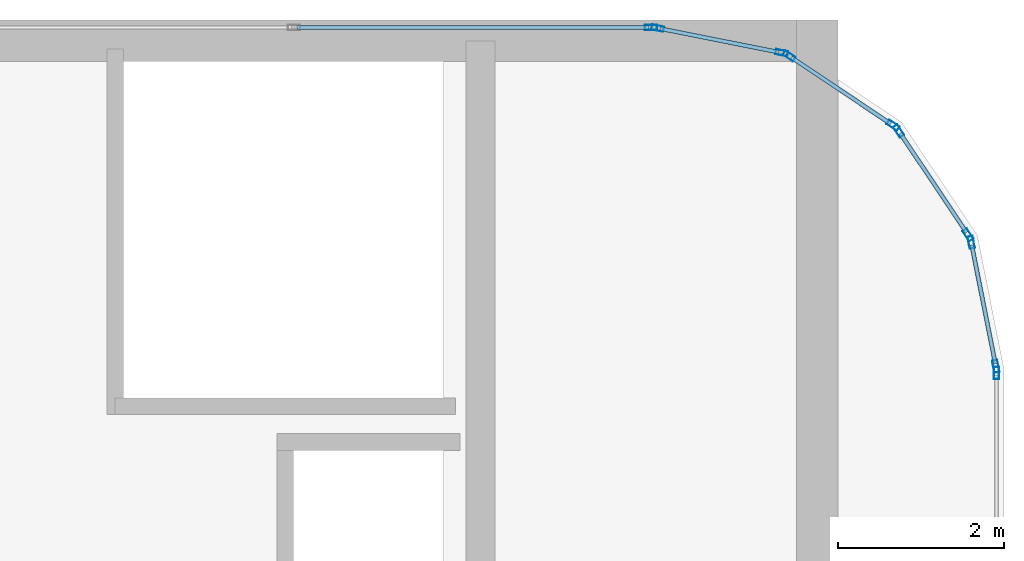
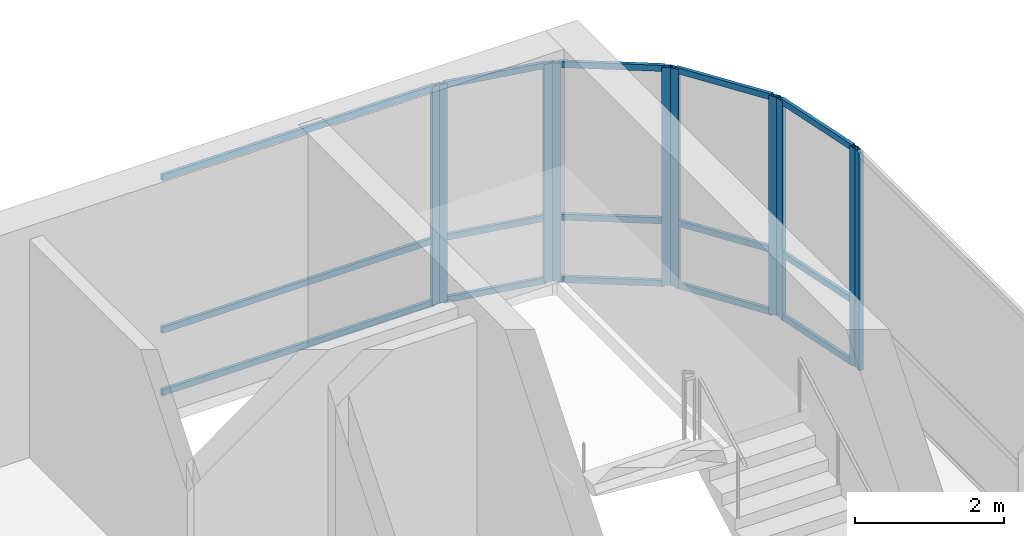
# One storey, part 28 of 36: 25 members, 6 elements without a shape of their own.
"""IFC4 building model written with IfcOpenShell, lengths in metres."""

from ifc_helpers import new_model, si_unit, direction, frame, origin, origin_2d, place, context, subcontext, project, spatial, hollow_rectangle, extrude, source, transform, mapped, material, layer, layer_set, material_profile, profile_set, type_object, type_shapes, element, aggregate, save


model = new_model("IFC4")

# Units and contexts
model_context = context("Model", 3, precision=1e-05, world=origin(), true_north=direction((0.0, 1.0)))
body_context = subcontext(model_context, "Body", "Model", "MODEL_VIEW")
ifc_project = project(units=[si_unit("LENGTHUNIT", "METRE"), si_unit("AREAUNIT", "SQUARE_METRE"), si_unit("VOLUMEUNIT", "CUBIC_METRE"), si_unit("PLANEANGLEUNIT", "RADIAN"), si_unit("MASSUNIT", "GRAM", prefix="KILO")], contexts=[model_context])

# Site, building, storey
site_placement = place(None, origin())
site = spatial("IfcSite", under=ifc_project, at=site_placement, CompositionType="ELEMENT")
building_placement = place(site_placement, origin())
building = spatial("IfcBuilding", under=site, at=building_placement, Name="Tolvann Quenvar Hotel", CompositionType="ELEMENT")
storey_placement = place(building_placement, frame((0.0, 0.0, 294.75)))
storey = spatial("IfcBuildingStorey", under=building, at=storey_placement, Name="L78", CompositionType="ELEMENT", Elevation=294.75)

# Curtain wall, member
ifc_material_1 = material(Name="Thermally broken anodised architectural aluminium 6063-T6 and laminated low-E glass", Category="aluminium")
ifc_layer = layer(ifc_material_1, 0.179931640625)
ifc_layer_set = layer_set([ifc_layer], Name="Thermally broken anodised architectural aluminium 6063-T6 and laminated low-E glass")
curtain_wall_type = type_object("IfcCurtainWallType", Name="CW_SYS_LANT_06", PredefinedType="USERDEFINED", material=ifc_layer_set)
curtain_wall_1_placement = place(storey_placement, origin())
curtain_wall_1 = element("IfcCurtainWall", 1, at=curtain_wall_1_placement, inside=storey, type_object=curtain_wall_type, Name="Curtain Wall CW-LANT-06 (CWR-L78-E09)", ObjectType="UNITISED CURTAIN WALL", PredefinedType="USERDEFINED")
ifc_material_2 = material(Name="Anodised architectural aluminium 6063-T6 framing", Category="aluminium")
ifc_material_profile_1 = material_profile(ifc_material_2, hollow_rectangle(XDim=0.06494140625, YDim=0.14990234375, WallThickness=0.00390625, at=origin_2d()), Name="150x65x4RHS")
ifc_profile_set_1 = profile_set([ifc_material_profile_1], Name="Anodised architectural aluminium 6063-T6 framing")
member_type_1 = type_object("IfcMemberType", Name="CW_MULL_150x65", PredefinedType="MULLION", material=ifc_profile_set_1)
shared_shape_1 = source(origin(), body_context, "Body", "SweptSolid", [
    extrude(hollow_rectangle(XDim=0.06494140625, YDim=0.14990234375, WallThickness=0.00390625, at=origin_2d()), origin(), (0.0, 0.0, 1.0), 3.580078125),
])
type_shapes(member_type_1, [shared_shape_1])
member_1_placement = place(storey_placement, frame((37.909912109375, 39.9501953125, 0.0), z_axis=(0.0, 0.0, 1.0), x_axis=(-1.0, 0.0, 0.0)))
member_1 = element("IfcMember", 2, at=member_1_placement, type_object=member_type_1, Name="CW-LANT-06 mullion 7", PredefinedType="MULLION", context=body_context, shape_type="MappedRepresentation", body=[
    mapped(shared_shape_1, transform((0.0, 0.0, 0.0), x_axis=(1.0, 0.0, 0.0), y_axis=(0.0, 1.0, 0.0), z_axis=(0.0, 0.0, 1.0), scale=1.0)),
])
aggregate(curtain_wall_1, [member_1])

# Curtain wall, members
curtain_wall_2_placement = place(storey_placement, origin())
curtain_wall_2 = element("IfcCurtainWall", 3, at=curtain_wall_2_placement, inside=storey, type_object=curtain_wall_type, Name="Curtain Wall CW-LANT-06 (CWR-L78-E10)", ObjectType="UNITISED CURTAIN WALL", PredefinedType="USERDEFINED")
member_2_placement = place(storey_placement, frame((37.902099609375, 40.03125, 0.0), z_axis=(0.0, 0.0, 1.0), x_axis=(-0.980790999222, -0.195061569369, 0.0)))
member_2 = element("IfcMember", 4, at=member_2_placement, type_object=member_type_1, Name="CW-LANT-06 mullion 1", PredefinedType="MULLION", context=body_context, shape_type="MappedRepresentation", body=[
    mapped(shared_shape_1, transform((0.0, 0.0, 0.0), x_axis=(1.0, 0.0, 0.0), y_axis=(0.0, 1.0, 0.0), z_axis=(0.0, 0.0, 1.0), scale=1.0)),
])
member_3_placement = place(storey_placement, frame((37.605224609375, 41.523681640625, 0.0), z_axis=(0.0, 0.0, 1.0), x_axis=(-0.980790999222, -0.195061569369, 0.0)))
member_3 = element("IfcMember", 5, at=member_3_placement, type_object=member_type_1, Name="CW-LANT-06 mullion 2", PredefinedType="MULLION", context=body_context, shape_type="MappedRepresentation", body=[
    mapped(shared_shape_1, transform((0.0, 0.0, 0.0), x_axis=(1.0, 0.0, 0.0), y_axis=(0.0, 1.0, 0.0), z_axis=(0.0, 0.0, 1.0), scale=1.0)),
])

curtain_wall_3_placement = place(storey_placement, origin())
curtain_wall_3 = element("IfcCurtainWall", 6, at=curtain_wall_3_placement, inside=storey, type_object=curtain_wall_type, Name="Curtain Wall CW-LANT-06 (CWR-L78-E11)", ObjectType="UNITISED CURTAIN WALL", PredefinedType="USERDEFINED")
member_4_placement = place(storey_placement, frame((37.568115234375, 41.61328125, 0.0), z_axis=(0.0, 0.0, 1.0), x_axis=(-0.831412452193, -0.555655769644, 0.0)))
member_4 = element("IfcMember", 7, at=member_4_placement, type_object=member_type_1, Name="CW-LANT-06 mullion 1", PredefinedType="MULLION", context=body_context, shape_type="MappedRepresentation", body=[
    mapped(shared_shape_1, transform((0.0, 0.0, 0.0), x_axis=(1.0, 0.0, 0.0), y_axis=(0.0, 1.0, 0.0), z_axis=(0.0, 0.0, 1.0), scale=1.0)),
])
member_5_placement = place(storey_placement, frame((36.732421875, 42.86376953125, 0.0), z_axis=(0.0, 0.0, 1.0), x_axis=(-0.831412452193, -0.555655769644, 0.0)))
member_5 = element("IfcMember", 8, at=member_5_placement, type_object=member_type_1, Name="CW-LANT-06 mullion 2", PredefinedType="MULLION", context=body_context, shape_type="MappedRepresentation", body=[
    mapped(shared_shape_1, transform((0.0, 0.0, 0.0), x_axis=(1.0, 0.0, 0.0), y_axis=(0.0, 1.0, 0.0), z_axis=(0.0, 0.0, 1.0), scale=1.0)),
])

curtain_wall_4_placement = place(storey_placement, origin())
curtain_wall_4 = element("IfcCurtainWall", 9, at=curtain_wall_4_placement, inside=storey, type_object=curtain_wall_type, Name="Curtain Wall CW-LANT-06 (CWR-L78-E12)", ObjectType="UNITISED CURTAIN WALL", PredefinedType="USERDEFINED")
member_6_placement = place(storey_placement, frame((36.663818359375, 42.932373046875, 0.0), z_axis=(0.0, 0.0, 1.0), x_axis=(-0.555655769644, -0.831412452193, 0.0)))
member_6 = element("IfcMember", 10, at=member_6_placement, type_object=member_type_1, Name="CW-LANT-06 mullion 1", PredefinedType="MULLION", context=body_context, shape_type="MappedRepresentation", body=[
    mapped(shared_shape_1, transform((0.0, 0.0, 0.0), x_axis=(1.0, 0.0, 0.0), y_axis=(0.0, 1.0, 0.0), z_axis=(0.0, 0.0, 1.0), scale=1.0)),
])
member_7_placement = place(storey_placement, frame((35.413330078125, 43.76806640625, 0.0), z_axis=(0.0, 0.0, 1.0), x_axis=(-0.555655769644, -0.831412452193, 0.0)))
member_7 = element("IfcMember", 11, at=member_7_placement, type_object=member_type_1, Name="CW-LANT-06 mullion 2", PredefinedType="MULLION", context=body_context, shape_type="MappedRepresentation", body=[
    mapped(shared_shape_1, transform((0.0, 0.0, 0.0), x_axis=(1.0, 0.0, 0.0), y_axis=(0.0, 1.0, 0.0), z_axis=(0.0, 0.0, 1.0), scale=1.0)),
])

curtain_wall_5_placement = place(storey_placement, origin())
curtain_wall_5 = element("IfcCurtainWall", 12, at=curtain_wall_5_placement, inside=storey, type_object=curtain_wall_type, Name="Curtain Wall CW-LANT-06 (CWR-L78-E13)", ObjectType="UNITISED CURTAIN WALL", PredefinedType="USERDEFINED")
member_8_placement = place(storey_placement, frame((35.32373046875, 43.80517578125, 0.0), z_axis=(0.0, 0.0, 1.0), x_axis=(-0.195061569369, -0.980790999222, 0.0)))
member_8 = element("IfcMember", 13, at=member_8_placement, type_object=member_type_1, Name="CW-LANT-06 mullion 1", PredefinedType="MULLION", context=body_context, shape_type="MappedRepresentation", body=[
    mapped(shared_shape_1, transform((0.0, 0.0, 0.0), x_axis=(1.0, 0.0, 0.0), y_axis=(0.0, 1.0, 0.0), z_axis=(0.0, 0.0, 1.0), scale=1.0)),
])
member_9_placement = place(storey_placement, frame((33.831298828125, 44.10205078125, 0.0), z_axis=(0.0, 0.0, 1.0), x_axis=(-0.195061569369, -0.980790999222, 0.0)))
member_9 = element("IfcMember", 14, at=member_9_placement, type_object=member_type_1, Name="CW-LANT-06 mullion 2", PredefinedType="MULLION", context=body_context, shape_type="MappedRepresentation", body=[
    mapped(shared_shape_1, transform((0.0, 0.0, 0.0), x_axis=(1.0, 0.0, 0.0), y_axis=(0.0, 1.0, 0.0), z_axis=(0.0, 0.0, 1.0), scale=1.0)),
])

# Curtain wall, member
curtain_wall_6_placement = place(storey_placement, origin())
curtain_wall_6 = element("IfcCurtainWall", 15, at=curtain_wall_6_placement, inside=storey, type_object=curtain_wall_type, Name="Curtain Wall CW-LANT-06 (CWR-L78-E14)", ObjectType="UNITISED CURTAIN WALL", PredefinedType="USERDEFINED")
member_10_placement = place(storey_placement, frame((33.750244140625, 44.110107421875, 0.0), z_axis=(0.0, 0.0, 1.0), x_axis=(0.0, -1.0, 0.0)))
member_10 = element("IfcMember", 16, at=member_10_placement, type_object=member_type_1, Name="CW-LANT-06 mullion 1", PredefinedType="MULLION", context=body_context, shape_type="MappedRepresentation", body=[
    mapped(shared_shape_1, transform((0.0, 0.0, 0.0), x_axis=(1.0, 0.0, 0.0), y_axis=(0.0, 1.0, 0.0), z_axis=(0.0, 0.0, 1.0), scale=1.0)),
])

# Member
ifc_material_profile_2 = material_profile(ifc_material_2, hollow_rectangle(XDim=0.050048828125, YDim=0.10009765625, WallThickness=0.0029296875, at=origin_2d()), Name="100x50x3RHS")
ifc_profile_set_2 = profile_set([ifc_material_profile_2], Name="Anodised architectural aluminium 6063-T6 framing")
member_type_2 = type_object("IfcMemberType", Name="CW_TRAN_100x50", PredefinedType="USERDEFINED", material=ifc_profile_set_2)
shared_shape_2 = source(origin(), body_context, "Body", "SweptSolid", [
    extrude(hollow_rectangle(XDim=0.050048828125, YDim=0.10009765625, WallThickness=0.0029296875, at=origin_2d()), origin(), (0.0, 0.0, 1.0), 1.439208984375),
])
member_11_placement = place(storey_placement, frame((37.550048828125, 41.64013671875, 0.02490234375), z_axis=(-0.555600315839, 0.831449510818, 0.0), x_axis=(-0.831449510818, -0.555600315839, 0.0)))
member_11 = element("IfcMember", 17, at=member_11_placement, type_object=member_type_2, Name="CW-LANT-06 transom 1.1", ObjectType="TRANSOM", PredefinedType="USERDEFINED", context=body_context, shape_type="MappedRepresentation", body=[
    mapped(shared_shape_2, transform((0.0, 0.0, 0.0), x_axis=(1.0, 0.0, 0.0), y_axis=(0.0, 1.0, 0.0), z_axis=(0.0, 0.0, 1.0), scale=1.0)),
])

member_12_placement = place(storey_placement, frame((37.550048828125, 41.64013671875, 1.050048828125), z_axis=(-0.555600315839, 0.831449510818, 0.0), x_axis=(-0.831449510818, -0.555600315839, 0.0)))
member_12 = element("IfcMember", 18, at=member_12_placement, type_object=member_type_2, Name="CW-LANT-06 transom 1.2", ObjectType="TRANSOM", PredefinedType="USERDEFINED", context=body_context, shape_type="MappedRepresentation", body=[
    mapped(shared_shape_2, transform((0.0, 0.0, 0.0), x_axis=(1.0, 0.0, 0.0), y_axis=(0.0, 1.0, 0.0), z_axis=(0.0, 0.0, 1.0), scale=1.0)),
])

member_13_placement = place(storey_placement, frame((37.550048828125, 41.64013671875, 3.554931640625), z_axis=(-0.555600315839, 0.831449510818, 0.0), x_axis=(-0.831449510818, -0.555600315839, 0.0)))
member_13 = element("IfcMember", 19, at=member_13_placement, type_object=member_type_2, Name="CW-LANT-06 transom 1.3", ObjectType="TRANSOM", PredefinedType="USERDEFINED", context=body_context, shape_type="MappedRepresentation", body=[
    mapped(shared_shape_2, transform((0.0, 0.0, 0.0), x_axis=(1.0, 0.0, 0.0), y_axis=(0.0, 1.0, 0.0), z_axis=(0.0, 0.0, 1.0), scale=1.0)),
])

aggregate(curtain_wall_3, [member_4, member_5, member_11, member_12, member_13])

member_14_placement = place(storey_placement, frame((36.63671875, 42.950439453125, 0.02490234375), z_axis=(-0.831449510818, 0.555600315839, 0.0), x_axis=(-0.555600315839, -0.831449510818, 0.0)))
member_14 = element("IfcMember", 20, at=member_14_placement, type_object=member_type_2, Name="CW-LANT-06 transom 1.1", ObjectType="TRANSOM", PredefinedType="USERDEFINED", context=body_context, shape_type="MappedRepresentation", body=[
    mapped(shared_shape_2, transform((0.0, 0.0, 0.0), x_axis=(1.0, 0.0, 0.0), y_axis=(0.0, 1.0, 0.0), z_axis=(0.0, 0.0, 1.0), scale=1.0)),
])

member_15_placement = place(storey_placement, frame((36.63671875, 42.950439453125, 1.050048828125), z_axis=(-0.831449510818, 0.555600315839, 0.0), x_axis=(-0.555600315839, -0.831449510818, 0.0)))
member_15 = element("IfcMember", 21, at=member_15_placement, type_object=member_type_2, Name="CW-LANT-06 transom 1.2", ObjectType="TRANSOM", PredefinedType="USERDEFINED", context=body_context, shape_type="MappedRepresentation", body=[
    mapped(shared_shape_2, transform((0.0, 0.0, 0.0), x_axis=(1.0, 0.0, 0.0), y_axis=(0.0, 1.0, 0.0), z_axis=(0.0, 0.0, 1.0), scale=1.0)),
])

member_16_placement = place(storey_placement, frame((36.63671875, 42.950439453125, 3.554931640625), z_axis=(-0.831449510818, 0.555600315839, 0.0), x_axis=(-0.555600315839, -0.831449510818, 0.0)))
member_16 = element("IfcMember", 22, at=member_16_placement, type_object=member_type_2, Name="CW-LANT-06 transom 1.3", ObjectType="TRANSOM", PredefinedType="USERDEFINED", context=body_context, shape_type="MappedRepresentation", body=[
    mapped(shared_shape_2, transform((0.0, 0.0, 0.0), x_axis=(1.0, 0.0, 0.0), y_axis=(0.0, 1.0, 0.0), z_axis=(0.0, 0.0, 1.0), scale=1.0)),
])

aggregate(curtain_wall_4, [member_6, member_7, member_14, member_15, member_16])

shared_shape_3 = source(origin(), body_context, "Body", "SweptSolid", [
    extrude(hollow_rectangle(XDim=0.050048828125, YDim=0.10009765625, WallThickness=0.0029296875, at=origin_2d()), origin(), (0.0, 0.0, 1.0), 1.456787109375),
])
member_17_placement = place(storey_placement, frame((37.895751953125, 40.063232421875, 0.02490234375), z_axis=(-0.195084651288, 0.980786408364, 0.0), x_axis=(-0.980786408364, -0.195084651288, 0.0)))
member_17 = element("IfcMember", 23, at=member_17_placement, type_object=member_type_2, Name="CW-LANT-06 transom 1.1", ObjectType="TRANSOM", PredefinedType="USERDEFINED", context=body_context, shape_type="MappedRepresentation", body=[
    mapped(shared_shape_3, transform((0.0, 0.0, 0.0), x_axis=(1.0, 0.0, 0.0), y_axis=(0.0, 1.0, 0.0), z_axis=(0.0, 0.0, 1.0), scale=1.0)),
])

member_18_placement = place(storey_placement, frame((37.895751953125, 40.063232421875, 1.050048828125), z_axis=(-0.195084651288, 0.980786408364, 0.0), x_axis=(-0.980786408364, -0.195084651288, 0.0)))
member_18 = element("IfcMember", 24, at=member_18_placement, type_object=member_type_2, Name="CW-LANT-06 transom 1.2", ObjectType="TRANSOM", PredefinedType="USERDEFINED", context=body_context, shape_type="MappedRepresentation", body=[
    mapped(shared_shape_3, transform((0.0, 0.0, 0.0), x_axis=(1.0, 0.0, 0.0), y_axis=(0.0, 1.0, 0.0), z_axis=(0.0, 0.0, 1.0), scale=1.0)),
])

member_19_placement = place(storey_placement, frame((37.895751953125, 40.063232421875, 3.554931640625), z_axis=(-0.195084651288, 0.980786408364, 0.0), x_axis=(-0.980786408364, -0.195084651288, 0.0)))
member_19 = element("IfcMember", 25, at=member_19_placement, type_object=member_type_2, Name="CW-LANT-06 transom 1.3", ObjectType="TRANSOM", PredefinedType="USERDEFINED", context=body_context, shape_type="MappedRepresentation", body=[
    mapped(shared_shape_3, transform((0.0, 0.0, 0.0), x_axis=(1.0, 0.0, 0.0), y_axis=(0.0, 1.0, 0.0), z_axis=(0.0, 0.0, 1.0), scale=1.0)),
])

aggregate(curtain_wall_2, [member_2, member_3, member_17, member_18, member_19])

member_20_placement = place(storey_placement, frame((35.291748046875, 43.8115234375, 0.02490234375), z_axis=(-0.980786408364, 0.195084651288, 0.0), x_axis=(-0.195084651288, -0.980786408364, 0.0)))
member_20 = element("IfcMember", 26, at=member_20_placement, type_object=member_type_2, Name="CW-LANT-06 transom 1.1", ObjectType="TRANSOM", PredefinedType="USERDEFINED", context=body_context, shape_type="MappedRepresentation", body=[
    mapped(shared_shape_3, transform((0.0, 0.0, 0.0), x_axis=(1.0, 0.0, 0.0), y_axis=(0.0, 1.0, 0.0), z_axis=(0.0, 0.0, 1.0), scale=1.0)),
])

member_21_placement = place(storey_placement, frame((35.291748046875, 43.8115234375, 1.050048828125), z_axis=(-0.980786408364, 0.195084651288, 0.0), x_axis=(-0.195084651288, -0.980786408364, 0.0)))
member_21 = element("IfcMember", 27, at=member_21_placement, type_object=member_type_2, Name="CW-LANT-06 transom 1.2", ObjectType="TRANSOM", PredefinedType="USERDEFINED", context=body_context, shape_type="MappedRepresentation", body=[
    mapped(shared_shape_3, transform((0.0, 0.0, 0.0), x_axis=(1.0, 0.0, 0.0), y_axis=(0.0, 1.0, 0.0), z_axis=(0.0, 0.0, 1.0), scale=1.0)),
])

member_22_placement = place(storey_placement, frame((35.291748046875, 43.8115234375, 3.554931640625), z_axis=(-0.980786408364, 0.195084651288, 0.0), x_axis=(-0.195084651288, -0.980786408364, 0.0)))
member_22 = element("IfcMember", 28, at=member_22_placement, type_object=member_type_2, Name="CW-LANT-06 transom 1.3", ObjectType="TRANSOM", PredefinedType="USERDEFINED", context=body_context, shape_type="MappedRepresentation", body=[
    mapped(shared_shape_3, transform((0.0, 0.0, 0.0), x_axis=(1.0, 0.0, 0.0), y_axis=(0.0, 1.0, 0.0), z_axis=(0.0, 0.0, 1.0), scale=1.0)),
])

aggregate(curtain_wall_5, [member_8, member_9, member_20, member_21, member_22])

shared_shape_4 = source(origin(), body_context, "Body", "SweptSolid", [
    extrude(hollow_rectangle(XDim=0.050048828125, YDim=0.10009765625, WallThickness=0.0029296875, at=origin_2d()), origin(), (0.0, 0.0, 1.0), 4.22998046875),
])
type_shapes(member_type_2, [shared_shape_2, shared_shape_3, shared_shape_4])
member_23_placement = place(storey_placement, frame((33.7177734375, 44.110107421875, 0.02490234375), z_axis=(-1.0, 0.0, 0.0), x_axis=(0.0, -1.0, 0.0)))
member_23 = element("IfcMember", 29, at=member_23_placement, type_object=member_type_2, Name="CW-LANT-06 transom 1.1", ObjectType="TRANSOM", PredefinedType="USERDEFINED", context=body_context, shape_type="MappedRepresentation", body=[
    mapped(shared_shape_4, transform((0.0, 0.0, 0.0), x_axis=(1.0, 0.0, 0.0), y_axis=(0.0, 1.0, 0.0), z_axis=(0.0, 0.0, 1.0), scale=1.0)),
])

member_24_placement = place(storey_placement, frame((33.7177734375, 44.110107421875, 1.050048828125), z_axis=(-1.0, 0.0, 0.0), x_axis=(0.0, -1.0, 0.0)))
member_24 = element("IfcMember", 30, at=member_24_placement, type_object=member_type_2, Name="CW-LANT-06 transom 1.2", ObjectType="TRANSOM", PredefinedType="USERDEFINED", context=body_context, shape_type="MappedRepresentation", body=[
    mapped(shared_shape_4, transform((0.0, 0.0, 0.0), x_axis=(1.0, 0.0, 0.0), y_axis=(0.0, 1.0, 0.0), z_axis=(0.0, 0.0, 1.0), scale=1.0)),
])

member_25_placement = place(storey_placement, frame((33.7177734375, 44.110107421875, 3.554931640625), z_axis=(-1.0, 0.0, 0.0), x_axis=(0.0, -1.0, 0.0)))
member_25 = element("IfcMember", 31, at=member_25_placement, type_object=member_type_2, Name="CW-LANT-06 transom 1.3", ObjectType="TRANSOM", PredefinedType="USERDEFINED", context=body_context, shape_type="MappedRepresentation", body=[
    mapped(shared_shape_4, transform((0.0, 0.0, 0.0), x_axis=(1.0, 0.0, 0.0), y_axis=(0.0, 1.0, 0.0), z_axis=(0.0, 0.0, 1.0), scale=1.0)),
])

aggregate(curtain_wall_6, [member_10, member_23, member_24, member_25])

save(model, "model.ifc")
